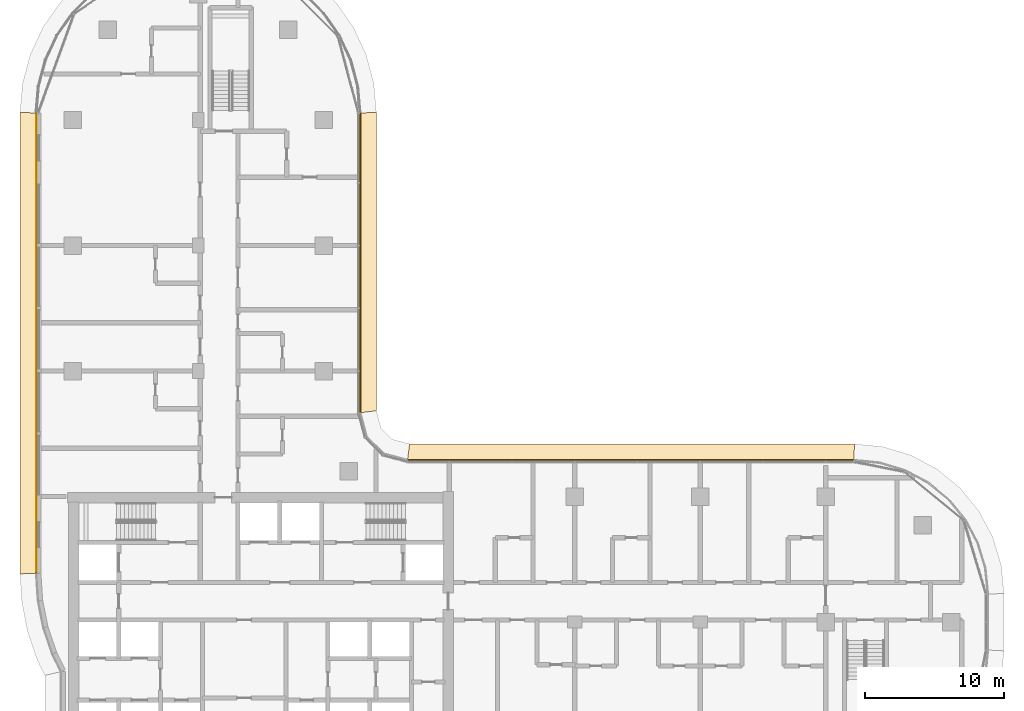
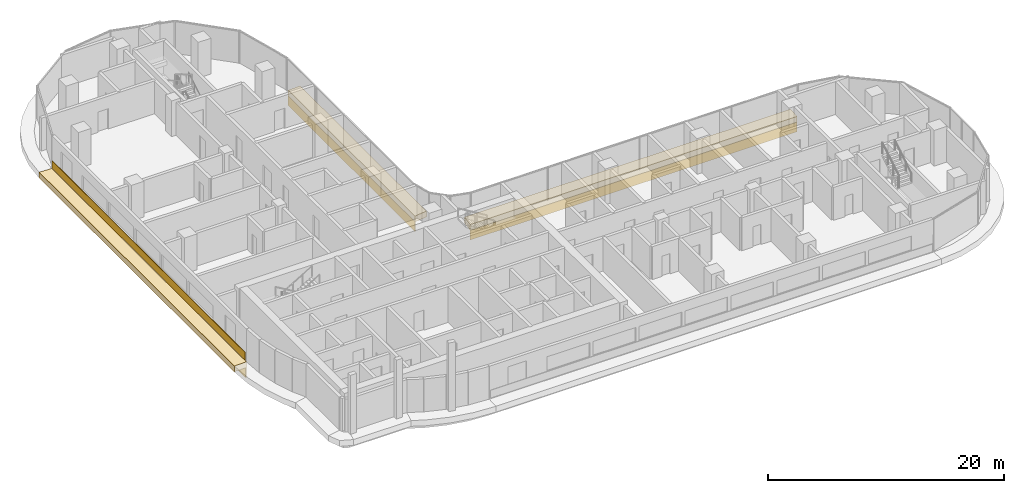
# One storey, part 23 of 25: 7 coverings.
"""IFC4 building model written with IfcOpenShell, lengths in metres."""

from ifc_helpers import new_model, si_unit, direction, frame, origin, origin_2d, place, context, subcontext, project, spatial, polyline, rectangle, outline, extrude, material, layer, layer_set, type_object, element, save


model = new_model("IFC4")

# Units and contexts
model_context = context("Model", 3, precision=1e-05, world=origin(), true_north=direction((0.0, 1.0)))
body_context = subcontext(model_context, "Body", "Model", "MODEL_VIEW")
ifc_project = project(units=[si_unit("LENGTHUNIT", "METRE"), si_unit("AREAUNIT", "SQUARE_METRE"), si_unit("VOLUMEUNIT", "CUBIC_METRE"), si_unit("PLANEANGLEUNIT", "RADIAN"), si_unit("MASSUNIT", "GRAM", prefix="KILO")], contexts=[model_context])

# Site, building, storey
site_placement = place(None, origin())
site = spatial("IfcSite", under=ifc_project, at=site_placement, CompositionType="ELEMENT")
building_placement = place(site_placement, origin())
building = spatial("IfcBuilding", under=site, at=building_placement, Name="Ogive Portal Towers", CompositionType="ELEMENT")
storey_placement = place(building_placement, frame((0.0, 0.0, 116.699951171875)))
storey = spatial("IfcBuildingStorey", under=building, at=storey_placement, Name="L28", CompositionType="ELEMENT", Elevation=116.699951171875)

# Coverings
ifc_material = material(Name="Limestone cladding on lightweight block wall", Category="masonry")
ifc_layer_1 = layer(ifc_material, 0.050048828125)
ifc_layer_set_1 = layer_set([ifc_layer_1], Name="SCREEN PERFORATED STONE")
covering_type_1 = type_object("IfcCoveringType", Name="SCREEN PERFORATED STONE", PredefinedType="CLADDING", material=ifc_layer_set_1)
covering_1_placement = place(storey_placement, frame((28.89990234375, 50.497802734375, 0.10009765625), z_axis=(0.0, 0.0, 1.0), x_axis=(0.0, -1.0, 0.0)))
element("IfcCovering", 1, at=covering_1_placement, inside=storey, type_object=covering_type_1, Name="Tracery screen", PredefinedType="CLADDING", context=body_context, shape_type="SweptSolid", body=[
    extrude(rectangle(XDim=32.776123046875, YDim=0.050048828125, at=origin_2d()), origin(), (0.0, 0.0, 1.0), 0.800048828125),
])
ifc_layer_2 = layer(ifc_material, 0.080078125)
ifc_layer_set_2 = layer_set([ifc_layer_2], Name="STONE SPANDREL 80")
covering_type_2 = type_object("IfcCoveringType", Name="STONE SPANDREL 80", PredefinedType="CLADDING", material=ifc_layer_set_2)
covering_2_placement = place(storey_placement, frame((0.0, 0.0, -1.599853515625)))
element("IfcCovering", 2, at=covering_2_placement, inside=storey, type_object=covering_type_2, Name="Stone spandrel A1-F09", PredefinedType="CLADDING", context=body_context, shape_type="SweptSolid", body=[
    extrude(outline(polyline([(87.5, 42.074951171875), (55.5, 42.074951171875), (55.510498046875, 42.155029296875), (87.50390625, 42.155029296875), (87.5, 42.074951171875)])), origin(), (0.0, 0.0, 1.0), 1.0),
])
covering_3_placement = place(storey_placement, frame((0.0, 0.0, -1.599853515625)))
element("IfcCovering", 3, at=covering_3_placement, inside=storey, type_object=covering_type_2, Name="Stone spandrel A1-F11", PredefinedType="CLADDING", context=body_context, shape_type="SweptSolid", body=[
    extrude(outline(polyline([(52.074951171875, 45.5), (52.074951171875, 67.0), (52.155029296875, 67.00341796875), (52.155029296875, 45.510498046875), (52.074951171875, 45.5)])), origin(), (0.0, 0.0, 1.0), 1.0),
])
covering_4_placement = place(storey_placement, frame((0.0, 0.0, -1.599853515625)))
element("IfcCovering", 4, at=covering_4_placement, inside=storey, type_object=covering_type_2, Name="Stone spandrel A1-F13", PredefinedType="CLADDING", context=body_context, shape_type="SweptSolid", body=[
    extrude(outline(polyline([(28.925048828125, 67.0), (28.925048828125, 34.0), (28.844970703125, 33.997314453125), (28.844970703125, 67.00341796875), (28.925048828125, 67.0)])), origin(), (0.0, 0.0, 1.0), 1.0),
])
ifc_layer_3 = layer(ifc_material, 0.60009765625)
ifc_layer_set_3 = layer_set([ifc_layer_3], Name="SUNSHADE LIP 600")
covering_type_3 = type_object("IfcCoveringType", Name="SUNSHADE LIP 600", PredefinedType="CLADDING", material=ifc_layer_set_3)
covering_5_placement = place(storey_placement, frame((0.0, 0.0, -0.599853515625)))
element("IfcCovering", 5, at=covering_5_placement, inside=storey, type_object=covering_type_3, Name="Sunshade lip A1-F09", PredefinedType="CLADDING", context=body_context, shape_type="SweptSolid", body=[
    extrude(outline(polyline([(87.5, 42.074951171875), (55.5, 42.074951171875), (55.657958984375, 43.27490234375), (87.558837890625, 43.27490234375), (87.5, 42.074951171875)])), origin(), (0.0, 0.0, 1.0), 0.599853515625),
])
covering_6_placement = place(storey_placement, frame((0.0, 0.0, -0.599853515625)))
element("IfcCovering", 6, at=covering_6_placement, inside=storey, type_object=covering_type_3, Name="Sunshade lip A1-F11", PredefinedType="CLADDING", context=body_context, shape_type="SweptSolid", body=[
    extrude(outline(polyline([(52.074951171875, 45.5), (52.074951171875, 67.0), (53.27490234375, 67.052490234375), (53.27490234375, 45.657958984375), (52.074951171875, 45.5)])), origin(), (0.0, 0.0, 1.0), 0.599853515625),
])
covering_7_placement = place(storey_placement, frame((0.0, 0.0, -0.599853515625)))
element("IfcCovering", 7, at=covering_7_placement, inside=storey, type_object=covering_type_3, Name="Sunshade lip A1-F13", PredefinedType="CLADDING", context=body_context, shape_type="SweptSolid", body=[
    extrude(outline(polyline([(28.925048828125, 67.0), (28.925048828125, 34.0), (27.72509765625, 33.960693359375), (27.72509765625, 67.052490234375), (28.925048828125, 67.0)])), origin(), (0.0, 0.0, 1.0), 0.599853515625),
])

save(model, "model.ifc")
